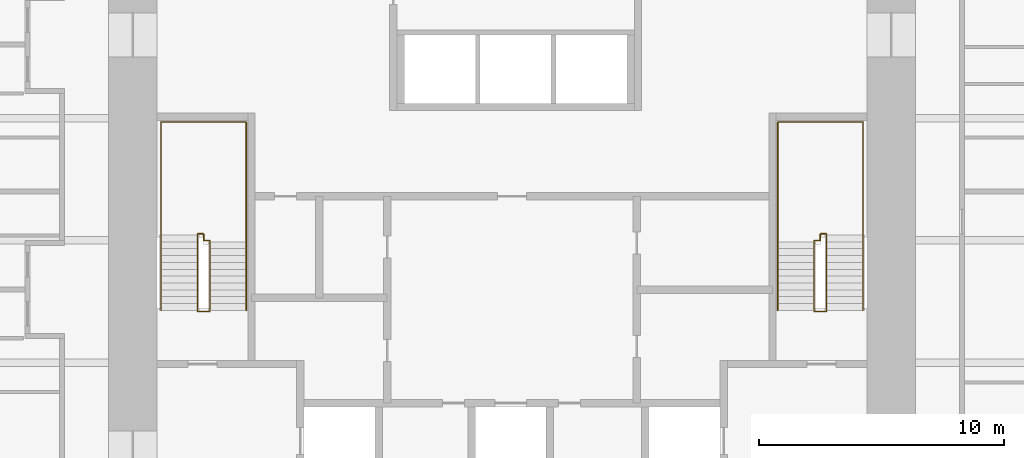
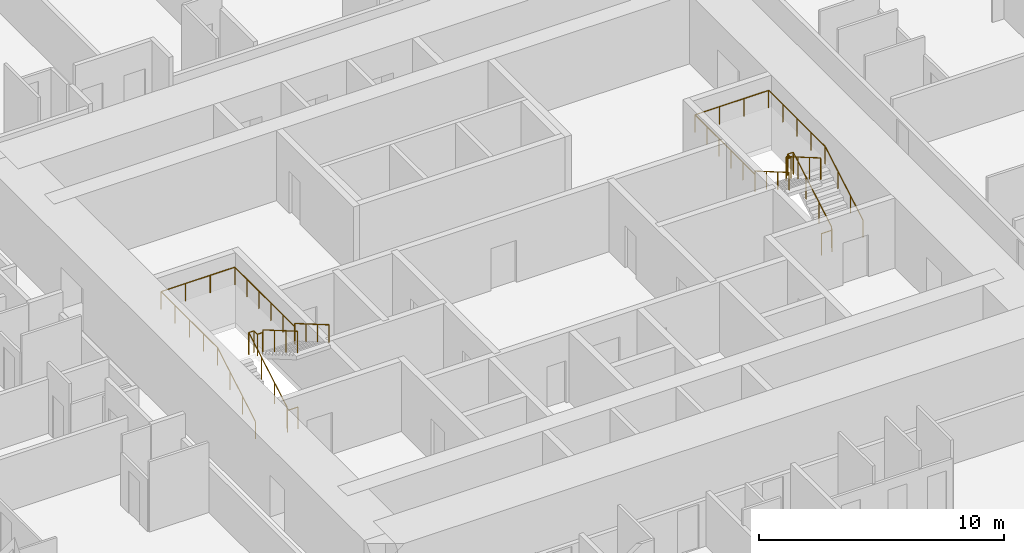
# One storey, part 17 of 17: 4 railings.
"""IFC4 building model written with IfcOpenShell, lengths in metres."""

from ifc_helpers import new_model, si_unit, direction, frame, origin, origin_2d, place, context, subcontext, project, spatial, circle, extrude, material, type_object, element, save


model = new_model("IFC4")

# Units and contexts
model_context = context("Model", 3, precision=1e-05, world=origin(), true_north=direction((0.0, 1.0)))
body_context = subcontext(model_context, "Body", "Model", "MODEL_VIEW")
ifc_project = project(units=[si_unit("LENGTHUNIT", "METRE"), si_unit("AREAUNIT", "SQUARE_METRE"), si_unit("VOLUMEUNIT", "CUBIC_METRE"), si_unit("PLANEANGLEUNIT", "RADIAN"), si_unit("MASSUNIT", "GRAM", prefix="KILO")], contexts=[model_context])

# Site, building, storey
site_placement = place(None, origin())
site = spatial("IfcSite", under=ifc_project, at=site_placement, CompositionType="ELEMENT")
building_placement = place(site_placement, origin())
building = spatial("IfcBuilding", under=site, at=building_placement, Name="Khuree Lantern Residences", CompositionType="ELEMENT")
storey_placement = place(building_placement, frame((0.0, 0.0, 73.5)))
storey = spatial("IfcBuildingStorey", under=building, at=storey_placement, Name="L18", CompositionType="ELEMENT", Elevation=73.5)

# Railings
ifc_material = material(Name="Steel S355", Category="steel")
railing_type_1 = type_object("IfcRailingType", Name="STAIR GUARD G1 1100", PredefinedType="GUARDRAIL", material=ifc_material)
railing_1_placement = place(storey_placement, frame((-12.35009765625, -2.909912109375, 0.0)))
element("IfcRailing", 1, at=railing_1_placement, inside=storey, type_object=railing_type_1, Name="Stair ST1 guard", PredefinedType="GUARDRAIL", context=body_context, shape_type="SweptSolid", body=[
    extrude(circle(Radius=0.02392578125, at=origin_2d()), frame((0.0, 0.0, 1.076171875), z_axis=(-1.0, 0.0, 0.0), x_axis=(0.0, -1.0, 0.0)), (0.0, 0.0, 1.0), 0.5),
    extrude(circle(Radius=0.02392578125, at=origin_2d()), frame((-0.5, 0.0, 1.076171875), z_axis=(0.0, 0.292073035251, 0.95639601739), x_axis=(-1.0, 0.0, 0.0)), (0.0, 0.0, 1.0), 0.17041015625),
    extrude(circle(Radius=0.02392578125, at=origin_2d()), frame((-0.5, 0.0498046875, 1.2392578125), z_axis=(0.0, 0.864176135923, 0.503189433615), x_axis=(-1.0, 0.0, 0.0)), (0.0, 0.0, 1.0), 3.564208984375),
    extrude(circle(Radius=0.02392578125, at=origin_2d()), frame((-0.5, 3.1298828125, 3.03271484375), z_axis=(0.0, 1.0, 0.0), x_axis=(-1.0, 0.0, 0.0)), (0.0, 0.0, 1.0), 0.050048828125),
    extrude(circle(Radius=0.02392578125, at=origin_2d()), frame((-0.5, 3.179931640625, 3.03271484375), z_axis=(1.0, 0.0, 0.0), x_axis=(0.0, 1.0, 0.0)), (0.0, 0.0, 1.0), 0.25),
    extrude(circle(Radius=0.02392578125, at=origin_2d()), frame((-0.25, 3.179931640625, 3.03271484375), z_axis=(0.0, -1.0, 0.0), x_axis=(1.0, 0.0, 0.0)), (0.0, 0.0, 1.0), 0.280029296875),
    extrude(circle(Radius=0.02392578125, at=origin_2d()), frame((-0.25, 2.89990234375, 3.03271484375), z_axis=(1.0, 0.0, 0.0), x_axis=(0.0, 1.0, 0.0)), (0.0, 0.0, 1.0), 0.25),
    extrude(circle(Radius=0.02392578125, at=origin_2d()), frame((0.0, 2.89990234375, 3.03271484375), z_axis=(0.0, -0.293381807449, 0.955995353053), x_axis=(1.0, 0.0, 0.0)), (0.0, 0.0, 1.0), 0.170654296875),
    extrude(circle(Radius=0.02392578125, at=origin_2d()), frame((0.0, 2.849853515625, 3.19580078125), z_axis=(0.0, -0.864180358799, 0.503182181189), x_axis=(1.0, 0.0, 0.0)), (0.0, 0.0, 1.0), 3.240234375),
    extrude(circle(Radius=0.02099609375, at=origin_2d()), origin(), (0.0, 0.0, 1.0), 1.052001953125),
    extrude(circle(Radius=0.02099609375, at=origin_2d()), frame((-0.5, 0.0, 0.0)), (0.0, 0.0, 1.0), 1.052001953125),
    extrude(circle(Radius=0.02099609375, at=origin_2d()), frame((-0.5, 0.0498046875, 0.1630859375)), (0.0, 0.0, 1.0), 1.052001953125),
    extrude(circle(Radius=0.02099609375, at=origin_2d()), frame((-0.5, 1.076416015625, 0.760986328125)), (0.0, 0.0, 1.0), 1.052001953125),
    extrude(circle(Radius=0.02099609375, at=origin_2d()), frame((-0.5, 2.103271484375, 1.358642578125)), (0.0, 0.0, 1.0), 1.052001953125),
    extrude(circle(Radius=0.02099609375, at=origin_2d()), frame((-0.5, 3.1298828125, 1.95654296875)), (0.0, 0.0, 1.0), 1.052001953125),
    extrude(circle(Radius=0.02099609375, at=origin_2d()), frame((-0.5, 3.179931640625, 1.95654296875)), (0.0, 0.0, 1.0), 1.052001953125),
    extrude(circle(Radius=0.02099609375, at=origin_2d()), frame((-0.25, 3.179931640625, 1.95654296875)), (0.0, 0.0, 1.0), 1.052001953125),
    extrude(circle(Radius=0.02099609375, at=origin_2d()), frame((-0.25, 2.89990234375, 1.95654296875)), (0.0, 0.0, 1.0), 1.052001953125),
    extrude(circle(Radius=0.02099609375, at=origin_2d()), frame((0.0, 2.89990234375, 1.95654296875)), (0.0, 0.0, 1.0), 1.052001953125),
    extrude(circle(Radius=0.02099609375, at=origin_2d()), frame((0.0, 2.849853515625, 2.11962890625)), (0.0, 0.0, 1.0), 1.052001953125),
    extrude(circle(Radius=0.02099609375, at=origin_2d()), frame((0.0, 1.91650390625, 2.6630859375)), (0.0, 0.0, 1.0), 1.052001953125),
    extrude(circle(Radius=0.02099609375, at=origin_2d()), frame((0.0, 0.983154296875, 3.20654296875)), (0.0, 0.0, 1.0), 1.052001953125),
    extrude(circle(Radius=0.02099609375, at=origin_2d()), frame((0.0, 0.0498046875, 3.75)), (0.0, 0.0, 1.0), 1.052001953125),
])
railing_2_placement = place(storey_placement, frame((12.35009765625, -2.909912109375, 0.0)))
element("IfcRailing", 2, at=railing_2_placement, inside=storey, type_object=railing_type_1, Name="Stair ST2 guard", PredefinedType="GUARDRAIL", context=body_context, shape_type="SweptSolid", body=[
    extrude(circle(Radius=0.02392578125, at=origin_2d()), frame((0.0, 0.0, 1.076171875), z_axis=(1.0, 0.0, 0.0), x_axis=(0.0, 1.0, 0.0)), (0.0, 0.0, 1.0), 0.5),
    extrude(circle(Radius=0.02392578125, at=origin_2d()), frame((0.5, 0.0, 1.076171875), z_axis=(0.0, 0.292073035251, 0.95639601739), x_axis=(-1.0, 0.0, 0.0)), (0.0, 0.0, 1.0), 0.17041015625),
    extrude(circle(Radius=0.02392578125, at=origin_2d()), frame((0.5, 0.0498046875, 1.2392578125), z_axis=(0.0, 0.864176135923, 0.503189433615), x_axis=(-1.0, 0.0, 0.0)), (0.0, 0.0, 1.0), 3.564208984375),
    extrude(circle(Radius=0.02392578125, at=origin_2d()), frame((0.5, 3.1298828125, 3.03271484375), z_axis=(0.0, 1.0, 0.0), x_axis=(-1.0, 0.0, 0.0)), (0.0, 0.0, 1.0), 0.050048828125),
    extrude(circle(Radius=0.02392578125, at=origin_2d()), frame((0.5, 3.179931640625, 3.03271484375), z_axis=(-1.0, 0.0, 0.0), x_axis=(0.0, -1.0, 0.0)), (0.0, 0.0, 1.0), 0.25),
    extrude(circle(Radius=0.02392578125, at=origin_2d()), frame((0.25, 3.179931640625, 3.03271484375), z_axis=(0.0, -1.0, 0.0), x_axis=(1.0, 0.0, 0.0)), (0.0, 0.0, 1.0), 0.280029296875),
    extrude(circle(Radius=0.02392578125, at=origin_2d()), frame((0.25, 2.89990234375, 3.03271484375), z_axis=(-1.0, 0.0, 0.0), x_axis=(0.0, -1.0, 0.0)), (0.0, 0.0, 1.0), 0.25),
    extrude(circle(Radius=0.02392578125, at=origin_2d()), frame((0.0, 2.89990234375, 3.03271484375), z_axis=(0.0, -0.293381807449, 0.955995353053), x_axis=(1.0, 0.0, 0.0)), (0.0, 0.0, 1.0), 0.170654296875),
    extrude(circle(Radius=0.02392578125, at=origin_2d()), frame((0.0, 2.849853515625, 3.19580078125), z_axis=(0.0, -0.864180358799, 0.503182181189), x_axis=(1.0, 0.0, 0.0)), (0.0, 0.0, 1.0), 3.240234375),
    extrude(circle(Radius=0.02099609375, at=origin_2d()), origin(), (0.0, 0.0, 1.0), 1.052001953125),
    extrude(circle(Radius=0.02099609375, at=origin_2d()), frame((0.5, 0.0, 0.0)), (0.0, 0.0, 1.0), 1.052001953125),
    extrude(circle(Radius=0.02099609375, at=origin_2d()), frame((0.5, 0.0498046875, 0.1630859375)), (0.0, 0.0, 1.0), 1.052001953125),
    extrude(circle(Radius=0.02099609375, at=origin_2d()), frame((0.5, 1.076416015625, 0.760986328125)), (0.0, 0.0, 1.0), 1.052001953125),
    extrude(circle(Radius=0.02099609375, at=origin_2d()), frame((0.5, 2.103271484375, 1.358642578125)), (0.0, 0.0, 1.0), 1.052001953125),
    extrude(circle(Radius=0.02099609375, at=origin_2d()), frame((0.5, 3.1298828125, 1.95654296875)), (0.0, 0.0, 1.0), 1.052001953125),
    extrude(circle(Radius=0.02099609375, at=origin_2d()), frame((0.5, 3.179931640625, 1.95654296875)), (0.0, 0.0, 1.0), 1.052001953125),
    extrude(circle(Radius=0.02099609375, at=origin_2d()), frame((0.25, 3.179931640625, 1.95654296875)), (0.0, 0.0, 1.0), 1.052001953125),
    extrude(circle(Radius=0.02099609375, at=origin_2d()), frame((0.25, 2.89990234375, 1.95654296875)), (0.0, 0.0, 1.0), 1.052001953125),
    extrude(circle(Radius=0.02099609375, at=origin_2d()), frame((0.0, 2.89990234375, 1.95654296875)), (0.0, 0.0, 1.0), 1.052001953125),
    extrude(circle(Radius=0.02099609375, at=origin_2d()), frame((0.0, 2.849853515625, 2.11962890625)), (0.0, 0.0, 1.0), 1.052001953125),
    extrude(circle(Radius=0.02099609375, at=origin_2d()), frame((0.0, 1.91650390625, 2.6630859375)), (0.0, 0.0, 1.0), 1.052001953125),
    extrude(circle(Radius=0.02099609375, at=origin_2d()), frame((0.0, 0.983154296875, 3.20654296875)), (0.0, 0.0, 1.0), 1.052001953125),
    extrude(circle(Radius=0.02099609375, at=origin_2d()), frame((0.0, 0.0498046875, 3.75)), (0.0, 0.0, 1.0), 1.052001953125),
])
railing_type_2 = type_object("IfcRailingType", Name="STAIR HANDRAIL H1 900", PredefinedType="HANDRAIL", material=ifc_material)
railing_3_placement = place(storey_placement, frame((-14.340087890625, -2.860107421875, 0.1630859375)))
element("IfcRailing", 3, at=railing_3_placement, inside=storey, type_object=railing_type_2, Name="Stair ST1 handrail", PredefinedType="HANDRAIL", context=body_context, shape_type="SweptSolid", body=[
    extrude(circle(Radius=0.02392578125, at=origin_2d()), frame((0.0, 0.0, 0.8759765625), z_axis=(0.0, 0.864176135923, 0.503189433615), x_axis=(-1.0, 0.0, 0.0)), (0.0, 0.0, 1.0), 3.564208984375),
    extrude(circle(Radius=0.02392578125, at=origin_2d()), frame((0.0, 3.080078125, 2.66943359375), z_axis=(0.0, 1.0, 0.0), x_axis=(-1.0, 0.0, 0.0)), (0.0, 0.0, 1.0), 4.6201171875),
    extrude(circle(Radius=0.02392578125, at=origin_2d()), frame((0.0, 7.7001953125, 2.66943359375), z_axis=(1.0, 0.0, 0.0), x_axis=(0.0, 1.0, 0.0)), (0.0, 0.0, 1.0), 3.47998046875),
    extrude(circle(Radius=0.02392578125, at=origin_2d()), frame((3.47998046875, 7.7001953125, 2.66943359375), z_axis=(0.0, -1.0, 0.0), x_axis=(1.0, 0.0, 0.0)), (0.0, 0.0, 1.0), 4.900146484375),
    extrude(circle(Radius=0.02392578125, at=origin_2d()), frame((3.47998046875, 2.800048828125, 2.66943359375), z_axis=(0.0, 0.0, 1.0), x_axis=(1.0, 0.0, 0.0)), (0.0, 0.0, 1.0), 0.1630859375),
    extrude(circle(Radius=0.02392578125, at=origin_2d()), frame((3.47998046875, 2.800048828125, 2.83251953125), z_axis=(0.0, -0.864180358799, 0.503182181189), x_axis=(1.0, 0.0, 0.0)), (0.0, 0.0, 1.0), 3.240234375),
    extrude(circle(Radius=0.02099609375, at=origin_2d()), origin(), (0.0, 0.0, 1.0), 0.851806640625),
    extrude(circle(Radius=0.02099609375, at=origin_2d()), frame((0.0, 1.026611328125, 0.597900390625)), (0.0, 0.0, 1.0), 0.851806640625),
    extrude(circle(Radius=0.02099609375, at=origin_2d()), frame((0.0, 2.053466796875, 1.195556640625)), (0.0, 0.0, 1.0), 0.851806640625),
    extrude(circle(Radius=0.02099609375, at=origin_2d()), frame((0.0, 3.080078125, 1.79345703125)), (0.0, 0.0, 1.0), 0.851806640625),
    extrude(circle(Radius=0.02099609375, at=origin_2d()), frame((0.0, 4.235107421875, 1.79345703125)), (0.0, 0.0, 1.0), 0.851806640625),
    extrude(circle(Radius=0.02099609375, at=origin_2d()), frame((0.0, 5.39013671875, 1.79345703125)), (0.0, 0.0, 1.0), 0.851806640625),
    extrude(circle(Radius=0.02099609375, at=origin_2d()), frame((0.0, 6.545166015625, 1.79345703125)), (0.0, 0.0, 1.0), 0.851806640625),
    extrude(circle(Radius=0.02099609375, at=origin_2d()), frame((0.0, 7.7001953125, 1.79345703125)), (0.0, 0.0, 1.0), 0.851806640625),
    extrude(circle(Radius=0.02099609375, at=origin_2d()), frame((1.159912109375, 7.7001953125, 1.79345703125)), (0.0, 0.0, 1.0), 0.851806640625),
    extrude(circle(Radius=0.02099609375, at=origin_2d()), frame((2.320068359375, 7.7001953125, 1.79345703125)), (0.0, 0.0, 1.0), 0.851806640625),
    extrude(circle(Radius=0.02099609375, at=origin_2d()), frame((3.47998046875, 7.7001953125, 1.79345703125)), (0.0, 0.0, 1.0), 0.851806640625),
    extrude(circle(Radius=0.02099609375, at=origin_2d()), frame((3.47998046875, 6.72021484375, 1.79345703125)), (0.0, 0.0, 1.0), 0.851806640625),
    extrude(circle(Radius=0.02099609375, at=origin_2d()), frame((3.47998046875, 5.740234375, 1.79345703125)), (0.0, 0.0, 1.0), 0.851806640625),
    extrude(circle(Radius=0.02099609375, at=origin_2d()), frame((3.47998046875, 4.760009765625, 1.79345703125)), (0.0, 0.0, 1.0), 0.851806640625),
    extrude(circle(Radius=0.02099609375, at=origin_2d()), frame((3.47998046875, 3.780029296875, 1.79345703125)), (0.0, 0.0, 1.0), 0.851806640625),
    extrude(circle(Radius=0.02099609375, at=origin_2d()), frame((3.47998046875, 2.800048828125, 1.79345703125)), (0.0, 0.0, 1.0), 0.851806640625),
    extrude(circle(Radius=0.02099609375, at=origin_2d()), frame((3.47998046875, 2.800048828125, 1.95654296875)), (0.0, 0.0, 1.0), 0.851806640625),
    extrude(circle(Radius=0.02099609375, at=origin_2d()), frame((3.47998046875, 1.86669921875, 2.5)), (0.0, 0.0, 1.0), 0.851806640625),
    extrude(circle(Radius=0.02099609375, at=origin_2d()), frame((3.47998046875, 0.933349609375, 3.04345703125)), (0.0, 0.0, 1.0), 0.851806640625),
    extrude(circle(Radius=0.02099609375, at=origin_2d()), frame((3.47998046875, 0.0, 3.5869140625)), (0.0, 0.0, 1.0), 0.851806640625),
])
railing_4_placement = place(storey_placement, frame((14.340087890625, -2.860107421875, 0.1630859375)))
element("IfcRailing", 4, at=railing_4_placement, inside=storey, type_object=railing_type_2, Name="Stair ST2 handrail", PredefinedType="HANDRAIL", context=body_context, shape_type="SweptSolid", body=[
    extrude(circle(Radius=0.02392578125, at=origin_2d()), frame((0.0, 0.0, 0.8759765625), z_axis=(0.0, 0.864176135923, 0.503189433615), x_axis=(-1.0, 0.0, 0.0)), (0.0, 0.0, 1.0), 3.564208984375),
    extrude(circle(Radius=0.02392578125, at=origin_2d()), frame((0.0, 3.080078125, 2.66943359375), z_axis=(0.0, 1.0, 0.0), x_axis=(-1.0, 0.0, 0.0)), (0.0, 0.0, 1.0), 4.6201171875),
    extrude(circle(Radius=0.02392578125, at=origin_2d()), frame((0.0, 7.7001953125, 2.66943359375), z_axis=(-1.0, 0.0, 0.0), x_axis=(0.0, -1.0, 0.0)), (0.0, 0.0, 1.0), 3.47998046875),
    extrude(circle(Radius=0.02392578125, at=origin_2d()), frame((-3.47998046875, 7.7001953125, 2.66943359375), z_axis=(0.0, -1.0, 0.0), x_axis=(1.0, 0.0, 0.0)), (0.0, 0.0, 1.0), 4.900146484375),
    extrude(circle(Radius=0.02392578125, at=origin_2d()), frame((-3.47998046875, 2.800048828125, 2.66943359375), z_axis=(0.0, 0.0, 1.0), x_axis=(1.0, 0.0, 0.0)), (0.0, 0.0, 1.0), 0.1630859375),
    extrude(circle(Radius=0.02392578125, at=origin_2d()), frame((-3.47998046875, 2.800048828125, 2.83251953125), z_axis=(0.0, -0.864180358799, 0.503182181189), x_axis=(1.0, 0.0, 0.0)), (0.0, 0.0, 1.0), 3.240234375),
    extrude(circle(Radius=0.02099609375, at=origin_2d()), origin(), (0.0, 0.0, 1.0), 0.851806640625),
    extrude(circle(Radius=0.02099609375, at=origin_2d()), frame((0.0, 1.026611328125, 0.597900390625)), (0.0, 0.0, 1.0), 0.851806640625),
    extrude(circle(Radius=0.02099609375, at=origin_2d()), frame((0.0, 2.053466796875, 1.195556640625)), (0.0, 0.0, 1.0), 0.851806640625),
    extrude(circle(Radius=0.02099609375, at=origin_2d()), frame((0.0, 3.080078125, 1.79345703125)), (0.0, 0.0, 1.0), 0.851806640625),
    extrude(circle(Radius=0.02099609375, at=origin_2d()), frame((0.0, 4.235107421875, 1.79345703125)), (0.0, 0.0, 1.0), 0.851806640625),
    extrude(circle(Radius=0.02099609375, at=origin_2d()), frame((0.0, 5.39013671875, 1.79345703125)), (0.0, 0.0, 1.0), 0.851806640625),
    extrude(circle(Radius=0.02099609375, at=origin_2d()), frame((0.0, 6.545166015625, 1.79345703125)), (0.0, 0.0, 1.0), 0.851806640625),
    extrude(circle(Radius=0.02099609375, at=origin_2d()), frame((0.0, 7.7001953125, 1.79345703125)), (0.0, 0.0, 1.0), 0.851806640625),
    extrude(circle(Radius=0.02099609375, at=origin_2d()), frame((-1.159912109375, 7.7001953125, 1.79345703125)), (0.0, 0.0, 1.0), 0.851806640625),
    extrude(circle(Radius=0.02099609375, at=origin_2d()), frame((-2.320068359375, 7.7001953125, 1.79345703125)), (0.0, 0.0, 1.0), 0.851806640625),
    extrude(circle(Radius=0.02099609375, at=origin_2d()), frame((-3.47998046875, 7.7001953125, 1.79345703125)), (0.0, 0.0, 1.0), 0.851806640625),
    extrude(circle(Radius=0.02099609375, at=origin_2d()), frame((-3.47998046875, 6.72021484375, 1.79345703125)), (0.0, 0.0, 1.0), 0.851806640625),
    extrude(circle(Radius=0.02099609375, at=origin_2d()), frame((-3.47998046875, 5.740234375, 1.79345703125)), (0.0, 0.0, 1.0), 0.851806640625),
    extrude(circle(Radius=0.02099609375, at=origin_2d()), frame((-3.47998046875, 4.760009765625, 1.79345703125)), (0.0, 0.0, 1.0), 0.851806640625),
    extrude(circle(Radius=0.02099609375, at=origin_2d()), frame((-3.47998046875, 3.780029296875, 1.79345703125)), (0.0, 0.0, 1.0), 0.851806640625),
    extrude(circle(Radius=0.02099609375, at=origin_2d()), frame((-3.47998046875, 2.800048828125, 1.79345703125)), (0.0, 0.0, 1.0), 0.851806640625),
    extrude(circle(Radius=0.02099609375, at=origin_2d()), frame((-3.47998046875, 2.800048828125, 1.95654296875)), (0.0, 0.0, 1.0), 0.851806640625),
    extrude(circle(Radius=0.02099609375, at=origin_2d()), frame((-3.47998046875, 1.86669921875, 2.5)), (0.0, 0.0, 1.0), 0.851806640625),
    extrude(circle(Radius=0.02099609375, at=origin_2d()), frame((-3.47998046875, 0.933349609375, 3.04345703125)), (0.0, 0.0, 1.0), 0.851806640625),
    extrude(circle(Radius=0.02099609375, at=origin_2d()), frame((-3.47998046875, 0.0, 3.5869140625)), (0.0, 0.0, 1.0), 0.851806640625),
])

save(model, "model.ifc")
